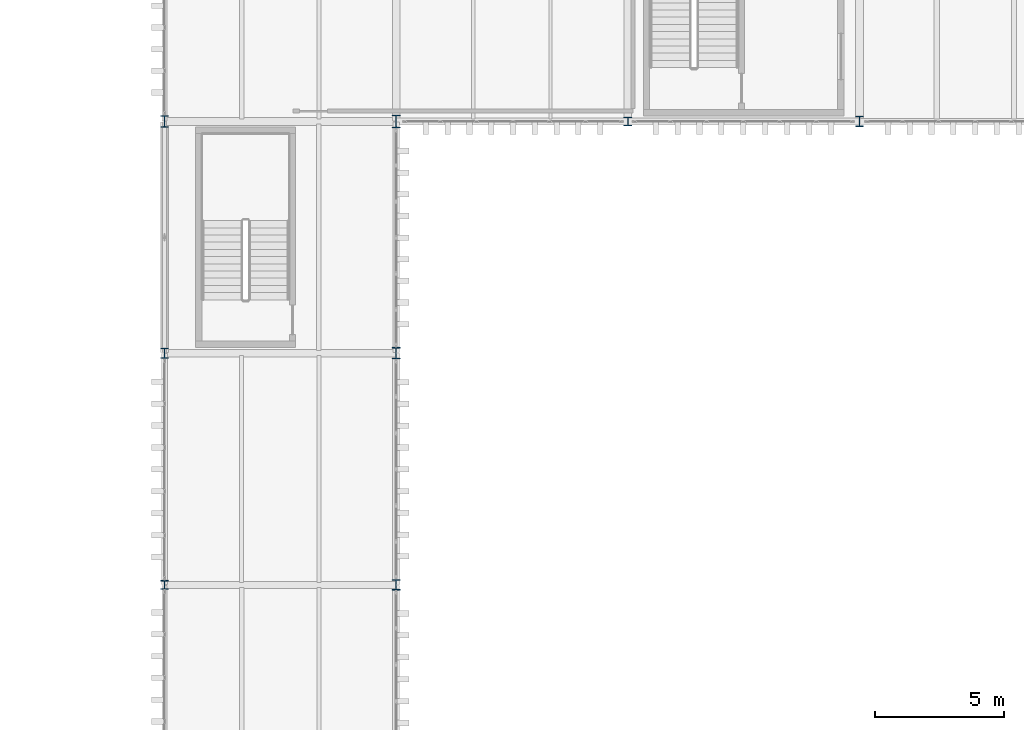
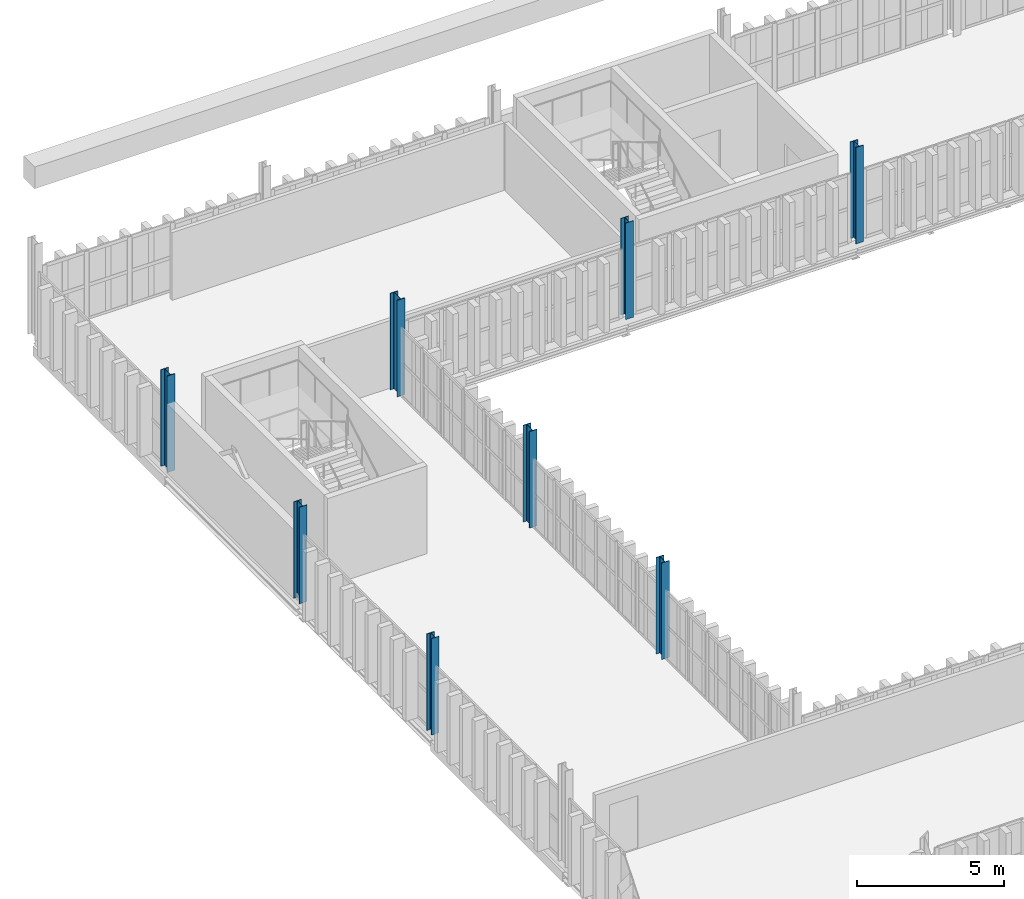
# One storey, part 9 of 102: 8 columns.
"""IFC4 building model written with IfcOpenShell, lengths in metres."""

from ifc_helpers import new_model, si_unit, direction, frame, origin, origin_2d, place, context, subcontext, project, spatial, i_section, extrude, material, material_profile, profile_set, type_object, element, save


model = new_model("IFC4")

# Units and contexts
model_context = context("Model", 3, precision=1e-05, world=origin(), true_north=direction((0.0, 1.0)))
body_context = subcontext(model_context, "Body", "Model", "MODEL_VIEW")
ifc_project = project(units=[si_unit("LENGTHUNIT", "METRE"), si_unit("AREAUNIT", "SQUARE_METRE"), si_unit("VOLUMEUNIT", "CUBIC_METRE"), si_unit("PLANEANGLEUNIT", "RADIAN"), si_unit("MASSUNIT", "GRAM", prefix="KILO")], contexts=[model_context])

# Site, building, storey
site_placement = place(None, origin())
site = spatial("IfcSite", under=ifc_project, at=site_placement, CompositionType="ELEMENT")
building_placement = place(site_placement, origin())
building = spatial("IfcBuilding", under=site, at=building_placement, Name="Barlavento Convention Centre", CompositionType="ELEMENT")
storey_placement = place(building_placement, frame((0.0, 0.0, 22.800048828125)))
storey = spatial("IfcBuildingStorey", under=building, at=storey_placement, Name="L04", CompositionType="ELEMENT", Elevation=22.800048828125)

# Columns
ifc_material = material(Name="Steel S355", Category="steel")
ifc_material_profile_1 = material_profile(ifc_material, i_section(OverallWidth=0.300048828125, OverallDepth=0.340087890625, WebThickness=0.011962890625, FlangeThickness=0.021484375, FilletRadius=0.027099609375, at=origin_2d()), Name="HEB 340")
ifc_profile_set_1 = profile_set([ifc_material_profile_1], Name="Steel S355")
column_type_1 = type_object("IfcColumnType", Name="STR-COL-HEB340", PredefinedType="COLUMN", material=ifc_profile_set_1)
for number, where, z_axis, x_axis, name in (
    (1, (126.0, 72.0, 0.0), (0.0, 0.0, 1.0), (1.0, 0.0, 0.0), "L04 column SC12"),
    (2, (144.0, 90.0, 0.0), (0.0, 0.0, 1.0), (1.0, 0.0, 0.0), "L04 column SC12"),
):
    element("IfcColumn", number, at=place(storey_placement, frame(where, z_axis=z_axis, x_axis=x_axis)), inside=storey, type_object=column_type_1, Name=name, PredefinedType="COLUMN", context=body_context, shape_type="SweptSolid", body=[
        extrude(i_section(OverallWidth=0.300048828125, OverallDepth=0.340087890625, WebThickness=0.011962890625, FlangeThickness=0.021484375, FilletRadius=0.027099609375, at=origin_2d()), origin(), (0.0, 0.0, 1.0), 4.0),
    ])
ifc_material_profile_2 = material_profile(ifc_material, i_section(OverallWidth=0.300048828125, OverallDepth=0.39990234375, WebThickness=0.013427734375, FlangeThickness=0.02392578125, FilletRadius=0.027099609375, at=origin_2d()), Name="HEB 400")
ifc_profile_set_2 = profile_set([ifc_material_profile_2], Name="Steel S355")
column_type_2 = type_object("IfcColumnType", Name="STR-COL-HEB400", PredefinedType="COLUMN", material=ifc_profile_set_2)
for number, where, z_axis, x_axis, name in (
    (3, (126.0, 81.0, 0.0), (0.0, 0.0, 1.0), (1.0, 0.0, 0.0), "L04 column SC11"),
    (4, (135.0, 72.0, 0.0), (0.0, 0.0, 1.0), (1.0, 0.0, 0.0), "L04 column SC11"),
    (5, (153.0, 90.0, 0.0), (0.0, 0.0, 1.0), (1.0, 0.0, 0.0), "L04 column SC11"),
):
    element("IfcColumn", number, at=place(storey_placement, frame(where, z_axis=z_axis, x_axis=x_axis)), inside=storey, type_object=column_type_2, Name=name, PredefinedType="COLUMN", context=body_context, shape_type="SweptSolid", body=[
        extrude(i_section(OverallWidth=0.300048828125, OverallDepth=0.39990234375, WebThickness=0.013427734375, FlangeThickness=0.02392578125, FilletRadius=0.027099609375, at=origin_2d()), origin(), (0.0, 0.0, 1.0), 4.0),
    ])
ifc_material_profile_3 = material_profile(ifc_material, i_section(OverallWidth=0.300048828125, OverallDepth=0.449951171875, WebThickness=0.013916015625, FlangeThickness=0.02587890625, FilletRadius=0.027099609375, at=origin_2d()), Name="HEB 450")
ifc_profile_set_3 = profile_set([ifc_material_profile_3], Name="Steel S355")
column_type_3 = type_object("IfcColumnType", Name="STR-COL-HEB450", PredefinedType="COLUMN", material=ifc_profile_set_3)
for number, where, z_axis, x_axis, name in (
    (6, (126.0, 90.0, 0.0), (0.0, 0.0, 1.0), (1.0, 0.0, 0.0), "L04 column SC10"),
    (7, (135.0, 81.0, 0.0), (0.0, 0.0, 1.0), (1.0, 0.0, 0.0), "L04 column SC10"),
):
    element("IfcColumn", number, at=place(storey_placement, frame(where, z_axis=z_axis, x_axis=x_axis)), inside=storey, type_object=column_type_3, Name=name, PredefinedType="COLUMN", context=body_context, shape_type="SweptSolid", body=[
        extrude(i_section(OverallWidth=0.300048828125, OverallDepth=0.449951171875, WebThickness=0.013916015625, FlangeThickness=0.02587890625, FilletRadius=0.027099609375, at=origin_2d()), origin(), (0.0, 0.0, 1.0), 4.0),
    ])
ifc_material_profile_4 = material_profile(ifc_material, i_section(OverallWidth=0.300048828125, OverallDepth=0.5, WebThickness=0.014404296875, FlangeThickness=0.028076171875, FilletRadius=0.027099609375, at=origin_2d()), Name="HEB 500")
ifc_profile_set_4 = profile_set([ifc_material_profile_4], Name="Steel S355")
column_type_4 = type_object("IfcColumnType", Name="STR-COL-HEB500", PredefinedType="COLUMN", material=ifc_profile_set_4)
column_placement = place(storey_placement, frame((135.0, 90.0, 0.0), z_axis=(0.0, 0.0, 1.0), x_axis=(1.0, 0.0, 0.0)))
element("IfcColumn", 8, at=column_placement, inside=storey, type_object=column_type_4, Name="L04 column SC09", PredefinedType="COLUMN", context=body_context, shape_type="SweptSolid", body=[
    extrude(i_section(OverallWidth=0.300048828125, OverallDepth=0.5, WebThickness=0.014404296875, FlangeThickness=0.028076171875, FilletRadius=0.027099609375, at=origin_2d()), origin(), (0.0, 0.0, 1.0), 4.0),
])

save(model, "model.ifc")
